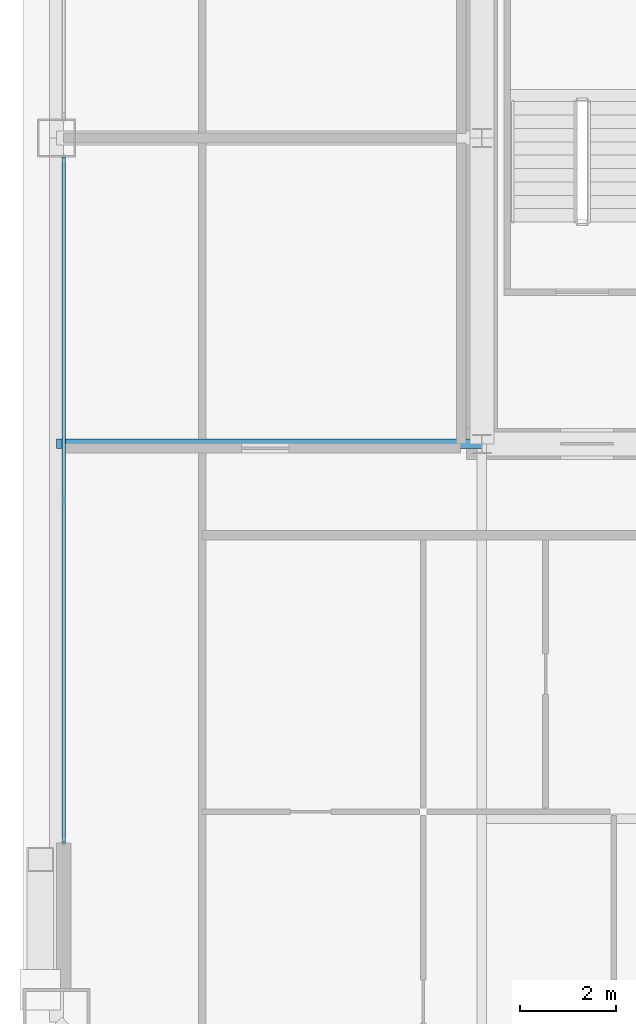
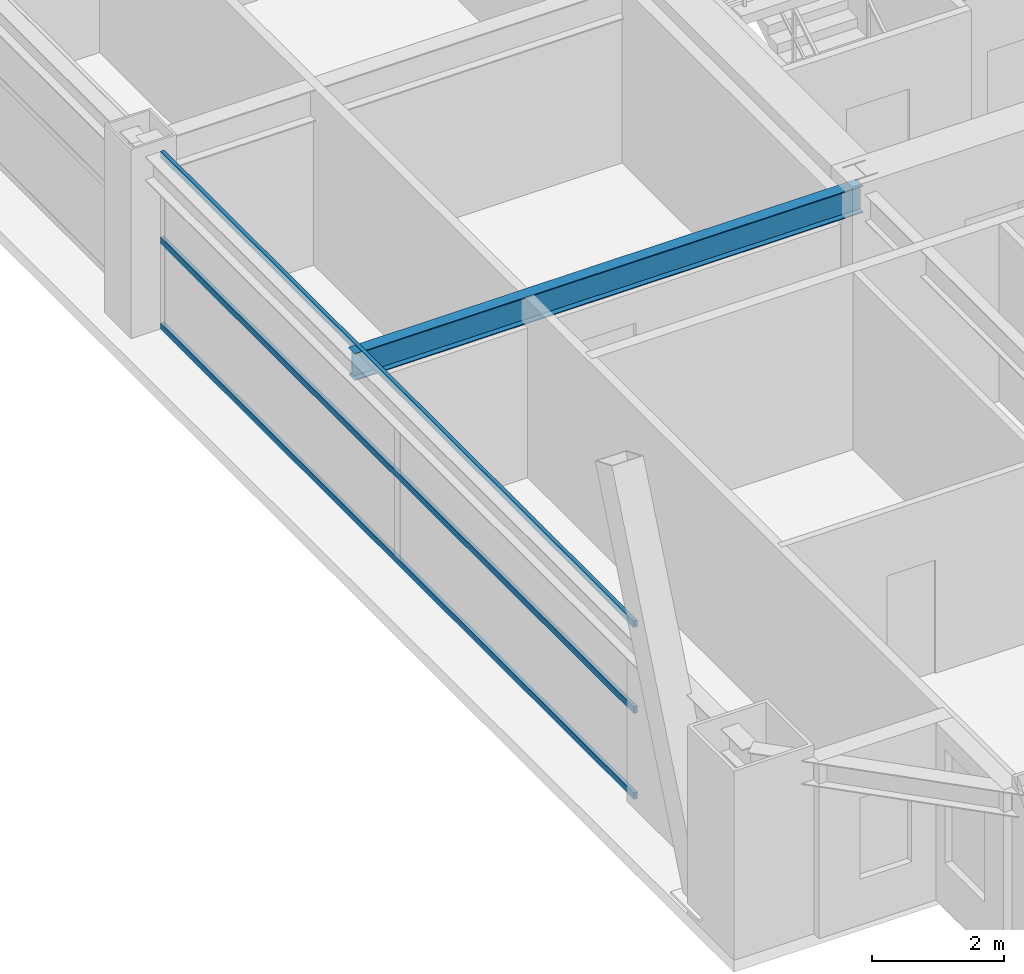
# One storey, part 15 of 45: 3 members, 1 beam, 1 element without a shape of its own.
"""IFC4 building model written with IfcOpenShell, lengths in metres."""

from ifc_helpers import new_model, si_unit, direction, frame, origin, origin_2d, place, context, subcontext, project, spatial, hollow_rectangle, i_section, extrude, source, transform, mapped, material, layer, layer_set, material_profile, profile_set, type_object, element, aggregate, save


model = new_model("IFC4")

# Units and contexts
model_context = context("Model", 3, precision=1e-05, world=origin(), true_north=direction((0.0, 1.0)))
body_context = subcontext(model_context, "Body", "Model", "MODEL_VIEW")
ifc_project = project(units=[si_unit("LENGTHUNIT", "METRE"), si_unit("AREAUNIT", "SQUARE_METRE"), si_unit("VOLUMEUNIT", "CUBIC_METRE"), si_unit("PLANEANGLEUNIT", "RADIAN"), si_unit("MASSUNIT", "GRAM", prefix="KILO"), si_unit("THERMODYNAMICTEMPERATUREUNIT", "KELVIN"), si_unit("POWERUNIT", "WATT")], contexts=[model_context])

# Site, building, storey
site_placement = place(None, origin())
site = spatial("IfcSite", under=ifc_project, at=site_placement, CompositionType="ELEMENT")
building_placement = place(site_placement, origin())
building = spatial("IfcBuilding", under=site, at=building_placement, Name="Yuzanri Waterfront Tower", CompositionType="ELEMENT")
storey_placement = place(building_placement, frame((0.0, 0.0, 191.5)))
storey = spatial("IfcBuildingStorey", under=building, at=storey_placement, Name="L50", CompositionType="ELEMENT", Elevation=191.5)

# Beam
ifc_material_1 = material(Name="Steel Q355B", Category="steel")
ifc_material_profile_1 = material_profile(ifc_material_1, i_section(OverallWidth=0.199951171875, OverallDepth=0.5, WebThickness=0.010009765625, FlangeThickness=0.01611328125, at=origin_2d()), Name="HN 500x200x10x16")
ifc_profile_set_1 = profile_set([ifc_material_profile_1], Name="Steel Q355B")
beam_type = type_object("IfcBeamType", Name="Secondary Floor Beam Q355B HN 500x200", PredefinedType="BEAM", material=ifc_profile_set_1)
shared_shape_1 = source(origin(), body_context, "Body", "SweptSolid", [
    extrude(i_section(OverallWidth=0.199951171875, OverallDepth=0.5, WebThickness=0.010009765625, FlangeThickness=0.01611328125, at=origin_2d()), origin(), (0.0, 0.0, 1.0), 8.900146484375),
])
beam_placement = place(storey_placement, frame((23.800048828125, 19.39990234375, 3.030029296875), z_axis=(-1.0, 0.0, 0.0), x_axis=(0.0, -1.0, 0.0)))
element("IfcBeam", 1, at=beam_placement, inside=storey, type_object=beam_type, Name="L50 West-South Core Line Beam", PredefinedType="BEAM", context=body_context, shape_type="MappedRepresentation", body=[
    mapped(shared_shape_1, transform((0.0, 0.0, 0.0), scale=1.0)),
])

# Curtain wall, members
ifc_material_2 = material(Name="Anodized Architectural Bronze", Category="metal")
ifc_layer = layer(ifc_material_2, 0.159912109375)
ifc_layer_set = layer_set([ifc_layer], Name="Anodized Architectural Bronze")
curtain_wall_type = type_object("IfcCurtainWallType", Name="Anodized Bronze Mid-Rise Residential Acoustic Unitized Curtain Wall 7200", PredefinedType="NOTDEFINED", material=ifc_layer_set)
curtain_wall_placement = place(storey_placement, origin())
curtain_wall = element("IfcCurtainWall", 2, at=curtain_wall_placement, inside=storey, type_object=curtain_wall_type, Name="L50 Curtain Wall CW-L50-WL", PredefinedType="NOTDEFINED")
ifc_material_3 = material(Name="Anodized Architectural Bronze", Category="metal")
ifc_material_profile_2 = material_profile(ifc_material_3, hollow_rectangle(XDim=0.06494140625, YDim=0.1201171875, WallThickness=0.00341796875, at=origin_2d()), Name="CWT 65x120")
ifc_profile_set_2 = profile_set([ifc_material_profile_2], Name="Anodized Architectural Bronze")
member_type = type_object("IfcMemberType", Name="Anodized Bronze Secondary Curtain-Wall Transom 65x120", PredefinedType="USERDEFINED", material=ifc_profile_set_2)
shared_shape_2 = source(origin(), body_context, "Body", "SweptSolid", [
    extrude(hollow_rectangle(XDim=0.06494140625, YDim=0.1201171875, WallThickness=0.00341796875, at=origin_2d()), origin(), (0.0, 0.0, 1.0), 14.349853515625),
])
member_1_placement = place(storey_placement, frame((15.050048828125, 11.050048828125, 0.050048828125), z_axis=(0.0, 1.0, 0.0), x_axis=(-1.0, 0.0, 0.0)))
member_1 = element("IfcMember", 3, at=member_1_placement, type_object=member_type, Name="CW-L50-WL Transom 1", ObjectType="TRANSOM", PredefinedType="USERDEFINED", context=body_context, shape_type="MappedRepresentation", body=[
    mapped(shared_shape_2, transform((0.0, 0.0, 0.0), scale=1.0)),
])
member_2_placement = place(storey_placement, frame((15.050048828125, 11.050048828125, 1.639892578125), z_axis=(0.0, 1.0, 0.0), x_axis=(-1.0, 0.0, 0.0)))
member_2 = element("IfcMember", 4, at=member_2_placement, type_object=member_type, Name="CW-L50-WL Transom 2", ObjectType="TRANSOM", PredefinedType="USERDEFINED", context=body_context, shape_type="MappedRepresentation", body=[
    mapped(shared_shape_2, transform((0.0, 0.0, 0.0), scale=1.0)),
])
member_3_placement = place(storey_placement, frame((15.050048828125, 11.050048828125, 3.22998046875), z_axis=(0.0, 1.0, 0.0), x_axis=(-1.0, 0.0, 0.0)))
member_3 = element("IfcMember", 5, at=member_3_placement, type_object=member_type, Name="CW-L50-WL Transom 3", ObjectType="TRANSOM", PredefinedType="USERDEFINED", context=body_context, shape_type="MappedRepresentation", body=[
    mapped(shared_shape_2, transform((0.0, 0.0, 0.0), scale=1.0)),
])
aggregate(curtain_wall, [member_1, member_2, member_3])

save(model, "model.ifc")
